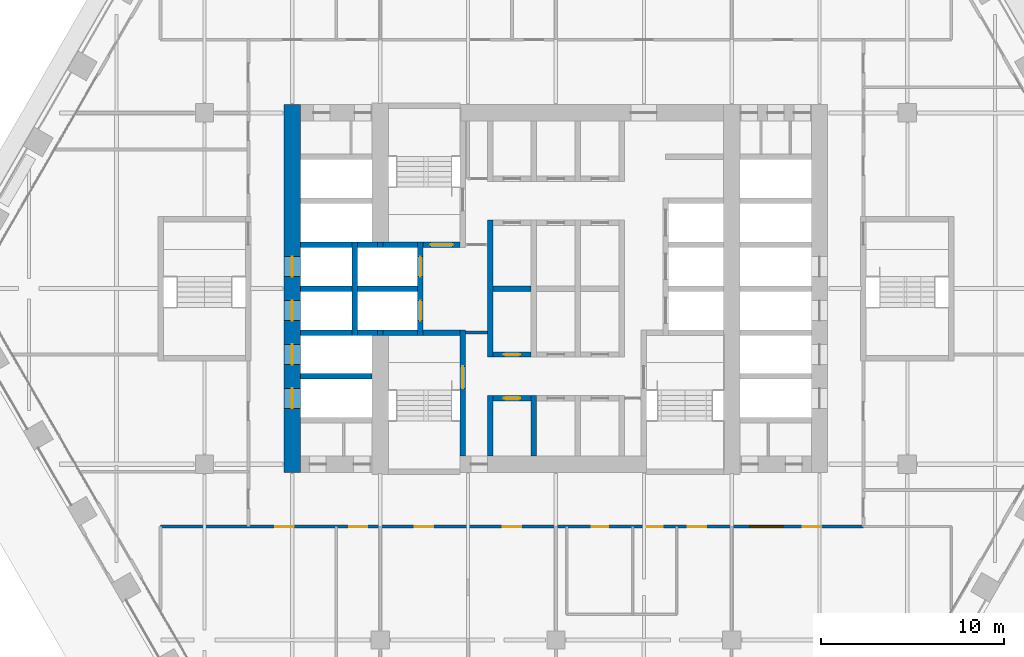
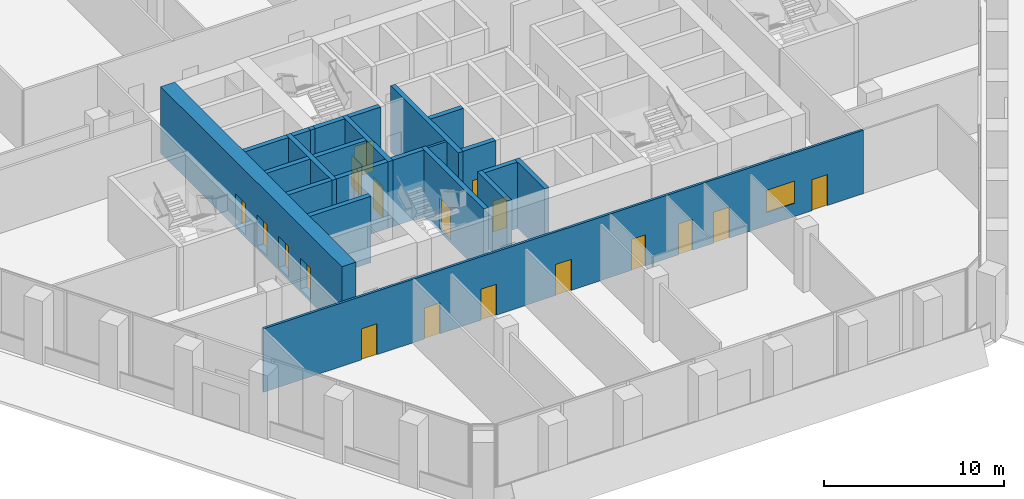
# One storey, part 13 of 23: 25 walls, 18 doors, 1 window, 19 openings.
"""IFC4 building model written with IfcOpenShell, lengths in metres."""

from ifc_helpers import new_model, si_unit, direction, frame, frame_2d, origin, place, context, subcontext, project, spatial, rectangle, extrude, material, layer, layer_set, type_object, element, fill, save


model = new_model("IFC4")

# Units and contexts
model_context = context("Model", 3, precision=1e-05, world=origin(), true_north=direction((0.0, 1.0)))
body_context = subcontext(model_context, "Body", "Model", "MODEL_VIEW")
ifc_project = project(units=[si_unit("LENGTHUNIT", "METRE"), si_unit("AREAUNIT", "SQUARE_METRE"), si_unit("VOLUMEUNIT", "CUBIC_METRE"), si_unit("PLANEANGLEUNIT", "RADIAN"), si_unit("MASSUNIT", "GRAM", prefix="KILO")], contexts=[model_context])

# Site, building, storey
site_placement = place(None, origin())
site = spatial("IfcSite", under=ifc_project, at=site_placement, CompositionType="ELEMENT")
building_placement = place(site_placement, origin())
building = spatial("IfcBuilding", under=site, at=building_placement, Name="Kolab Exchange Tower", CompositionType="ELEMENT")
storey_placement = place(building_placement, frame((0.0, 0.0, 77.89990234375)))
storey = spatial("IfcBuildingStorey", under=building, at=storey_placement, Name="L14", CompositionType="ELEMENT", Elevation=77.89990234375)

# Wall, openings, doors
ifc_material_1 = material(Name="Concrete C70/85", Category="concrete")
ifc_layer_1 = layer(ifc_material_1, 0.89990234375)
ifc_layer_set_1 = layer_set([ifc_layer_1], Name="Concrete C70/85")
wall_type_1 = type_object("IfcWallType", Name="CORE WALL 900 C70/85", PredefinedType="SHEAR", material=ifc_layer_set_1)
wall_1_placement = place(storey_placement, frame((-14.39990234375, -10.050048828125, -0.199951171875), z_axis=(0.0, 0.0, 1.0), x_axis=(0.0, 1.0, 0.0)))
wall_1 = element("IfcWall", 1, at=wall_1_placement, inside=storey, type_object=wall_type_1, Name="wall/L14/core/057", PredefinedType="SHEAR", context=body_context, shape_type="SweptSolid", body=[
    extrude(rectangle(XDim=20.10009765625, YDim=0.89990234375, at=frame_2d((10.050048828125, 0.0))), origin(), (0.0, 0.0, 1.0), 4.5),
])
opening_1_placement = place(wall_1_placement, frame((3.5, 0.0, 0.199951171875)))
opening_1 = element("IfcOpeningElement", 2, at=opening_1_placement, cuts=wall_1, Name="Opening LD1-073", PredefinedType="OPENING", context=body_context, shape_type="SweptSolid", body=[
    extrude(rectangle(XDim=1.10009765625, YDim=2.10009765625, at=frame_2d((0.550048828125, 1.050048828125))), frame((0.0, 0.4599609375, 0.0), z_axis=(0.0, -1.0, 0.0), x_axis=(1.0, 0.0, 0.0)), (0.0, 0.0, 1.0), 0.919921875),
])
opening_2_placement = place(wall_1_placement, frame((5.89990234375, 0.0, 0.199951171875)))
opening_2 = element("IfcOpeningElement", 3, at=opening_2_placement, cuts=wall_1, Name="Opening LD1-074", PredefinedType="OPENING", context=body_context, shape_type="SweptSolid", body=[
    extrude(rectangle(XDim=1.10009765625, YDim=2.10009765625, at=frame_2d((0.550048828125, 1.050048828125))), frame((0.0, 0.4599609375, 0.0), z_axis=(0.0, -1.0, 0.0), x_axis=(1.0, 0.0, 0.0)), (0.0, 0.0, 1.0), 0.919921875),
])
opening_3_placement = place(wall_1_placement, frame((8.300048828125, 0.0, 0.199951171875)))
opening_3 = element("IfcOpeningElement", 4, at=opening_3_placement, cuts=wall_1, Name="Opening LD1-075", PredefinedType="OPENING", context=body_context, shape_type="SweptSolid", body=[
    extrude(rectangle(XDim=1.10009765625, YDim=2.10009765625, at=frame_2d((0.550048828125, 1.050048828125))), frame((0.0, 0.4599609375, 0.0), z_axis=(0.0, -1.0, 0.0), x_axis=(1.0, 0.0, 0.0)), (0.0, 0.0, 1.0), 0.919921875),
])
opening_4_placement = place(wall_1_placement, frame((10.699951171875, 0.0, 0.199951171875)))
opening_4 = element("IfcOpeningElement", 5, at=opening_4_placement, cuts=wall_1, Name="Opening LD1-076", PredefinedType="OPENING", context=body_context, shape_type="SweptSolid", body=[
    extrude(rectangle(XDim=1.10009765625, YDim=2.10009765625, at=frame_2d((0.550048828125, 1.050048828125))), frame((0.0, 0.4599609375, 0.0), z_axis=(0.0, -1.0, 0.0), x_axis=(1.0, 0.0, 0.0)), (0.0, 0.0, 1.0), 0.919921875),
])
ifc_material_2 = material(Name="Stainless steel 316", Category="steel")
door_type_1 = type_object("IfcDoorType", Name="LANDING DOOR 1100 PASSENGER", OperationType="DOUBLE_DOOR_SLIDING", PredefinedType="DOOR", material=ifc_material_2)
door_1_placement = place(opening_1_placement, origin())
door_1 = element("IfcDoor", 6, at=door_1_placement, inside=storey, type_object=door_type_1, Name="Landing door LR5", OperationType="DOUBLE_DOOR_SLIDING", OverallHeight=2.10009765625, OverallWidth=1.10009765625, PredefinedType="DOOR", context=body_context, shape_type="SweptSolid", body=[
    extrude(rectangle(XDim=1.10009765625, YDim=2.10009765625, at=frame_2d((0.550048828125, 1.050048828125))), frame((0.0, 0.02490234375, 0.0), z_axis=(0.0, -1.0, 0.0), x_axis=(1.0, 0.0, 0.0)), (0.0, 0.0, 1.0), 0.050048828125),
])
fill(opening_1, door_1)
door_2_placement = place(opening_2_placement, origin())
door_2 = element("IfcDoor", 7, at=door_2_placement, inside=storey, type_object=door_type_1, Name="Landing door LR6", OperationType="DOUBLE_DOOR_SLIDING", OverallHeight=2.10009765625, OverallWidth=1.10009765625, PredefinedType="DOOR", context=body_context, shape_type="SweptSolid", body=[
    extrude(rectangle(XDim=1.10009765625, YDim=2.10009765625, at=frame_2d((0.550048828125, 1.050048828125))), frame((0.0, 0.02490234375, 0.0), z_axis=(0.0, -1.0, 0.0), x_axis=(1.0, 0.0, 0.0)), (0.0, 0.0, 1.0), 0.050048828125),
])
fill(opening_2, door_2)
door_3_placement = place(opening_3_placement, origin())
door_3 = element("IfcDoor", 8, at=door_3_placement, inside=storey, type_object=door_type_1, Name="Landing door LR7", OperationType="DOUBLE_DOOR_SLIDING", OverallHeight=2.10009765625, OverallWidth=1.10009765625, PredefinedType="DOOR", context=body_context, shape_type="SweptSolid", body=[
    extrude(rectangle(XDim=1.10009765625, YDim=2.10009765625, at=frame_2d((0.550048828125, 1.050048828125))), frame((0.0, 0.02490234375, 0.0), z_axis=(0.0, -1.0, 0.0), x_axis=(1.0, 0.0, 0.0)), (0.0, 0.0, 1.0), 0.050048828125),
])
fill(opening_3, door_3)
door_4_placement = place(opening_4_placement, origin())
door_4 = element("IfcDoor", 9, at=door_4_placement, inside=storey, type_object=door_type_1, Name="Landing door LR8", OperationType="DOUBLE_DOOR_SLIDING", OverallHeight=2.10009765625, OverallWidth=1.10009765625, PredefinedType="DOOR", context=body_context, shape_type="SweptSolid", body=[
    extrude(rectangle(XDim=1.10009765625, YDim=2.10009765625, at=frame_2d((0.550048828125, 1.050048828125))), frame((0.0, 0.02490234375, 0.0), z_axis=(0.0, -1.0, 0.0), x_axis=(1.0, 0.0, 0.0)), (0.0, 0.0, 1.0), 0.050048828125),
])
fill(opening_4, door_4)

# Wall, opening, door
ifc_material_3 = material(Name="Concrete C50/60", Category="concrete")
ifc_layer_2 = layer(ifc_material_3, 0.300048828125)
ifc_layer_set_2 = layer_set([ifc_layer_2], Name="Concrete C50/60")
wall_type_2 = type_object("IfcWallType", Name="LIFT SHAFT WALL 300 C50/60", PredefinedType="STANDARD", material=ifc_layer_set_2)
wall_2_placement = place(storey_placement, frame((-3.449951171875, -6.0, -0.199951171875), z_axis=(0.0, 0.0, 1.0), x_axis=(1.0, 0.0, 0.0)))
wall_2 = element("IfcWall", 10, at=wall_2_placement, inside=storey, type_object=wall_type_2, Name="wall/L14/core/007", PredefinedType="STANDARD", context=body_context, shape_type="SweptSolid", body=[
    extrude(rectangle(XDim=2.099853515625, YDim=0.300048828125, at=frame_2d((1.0498046875, 0.0))), origin(), (0.0, 0.0, 1.0), 4.5),
])
opening_5_placement = place(wall_2_placement, frame((0.60009765625, 0.0, 0.199951171875)))
opening_5 = element("IfcOpeningElement", 11, at=opening_5_placement, cuts=wall_2, Name="Opening D6-202", PredefinedType="OPENING", context=body_context, shape_type="SweptSolid", body=[
    extrude(rectangle(XDim=0.89990234375, YDim=2.10009765625, at=frame_2d((0.449951171875, 1.050048828125))), frame((0.0, 0.16015625, 0.0), z_axis=(0.0, -1.0, 0.0), x_axis=(1.0, 0.0, 0.0)), (0.0, 0.0, 1.0), 0.320068359375),
])
ifc_material_4 = material(Name="Steel S235", Category="steel")
door_type_2 = type_object("IfcDoorType", Name="CORE DOOR 900 EI 120", OperationType="SINGLE_SWING_LEFT", PredefinedType="DOOR", material=ifc_material_4)
door_5_placement = place(opening_5_placement, frame((0.89990234375, 0.0, 0.0), z_axis=(0.0, 0.0, 1.0), x_axis=(-1.0, 0.0, 0.0)))
door_5 = element("IfcDoor", 12, at=door_5_placement, inside=storey, type_object=door_type_2, Name="Service room door", OperationType="SINGLE_SWING_LEFT", OverallHeight=2.10009765625, OverallWidth=0.89990234375, PredefinedType="DOOR", context=body_context, shape_type="SweptSolid", body=[
    extrude(rectangle(XDim=0.89990234375, YDim=2.10009765625, at=frame_2d((0.449951171875, 1.050048828125))), frame((0.0, 0.02490234375, 0.0), z_axis=(0.0, -1.0, 0.0), x_axis=(1.0, 0.0, 0.0)), (0.0, 0.0, 1.0), 0.050048828125),
])
fill(opening_5, door_5)

# Wall
wall_3_placement = place(storey_placement, frame((-13.949951171875, -4.800048828125, -0.199951171875), z_axis=(0.0, 0.0, 1.0), x_axis=(1.0, 0.0, 0.0)))
element("IfcWall", 13, at=wall_3_placement, inside=storey, type_object=wall_type_2, Name="wall/L14/core/010", PredefinedType="STANDARD", context=body_context, shape_type="SweptSolid", body=[
    extrude(rectangle(XDim=3.89990234375, YDim=0.300048828125, at=frame_2d((1.949951171875, 0.0))), origin(), (0.0, 0.0, 1.0), 4.5),
])

# Wall, opening, door
wall_4_placement = place(storey_placement, frame((-3.449951171875, -3.60009765625, -0.199951171875), z_axis=(0.0, 0.0, 1.0), x_axis=(1.0, 0.0, 0.0)))
wall_4 = element("IfcWall", 14, at=wall_4_placement, inside=storey, type_object=wall_type_2, Name="wall/L14/core/014", PredefinedType="STANDARD", context=body_context, shape_type="SweptSolid", body=[
    extrude(rectangle(XDim=2.099853515625, YDim=0.300048828125, at=frame_2d((1.0498046875, 0.0))), origin(), (0.0, 0.0, 1.0), 4.5),
])
opening_6_placement = place(wall_4_placement, frame((0.60009765625, 0.0, 0.199951171875)))
opening_6 = element("IfcOpeningElement", 15, at=opening_6_placement, cuts=wall_4, Name="Opening D6-199", PredefinedType="OPENING", context=body_context, shape_type="SweptSolid", body=[
    extrude(rectangle(XDim=0.89990234375, YDim=2.10009765625, at=frame_2d((0.449951171875, 1.050048828125))), frame((0.0, 0.16015625, 0.0), z_axis=(0.0, -1.0, 0.0), x_axis=(1.0, 0.0, 0.0)), (0.0, 0.0, 1.0), 0.320068359375),
])
door_6_placement = place(opening_6_placement, origin())
door_6 = element("IfcDoor", 16, at=door_6_placement, inside=storey, type_object=door_type_2, Name="Service room door", OperationType="SINGLE_SWING_LEFT", OverallHeight=2.10009765625, OverallWidth=0.89990234375, PredefinedType="DOOR", context=body_context, shape_type="SweptSolid", body=[
    extrude(rectangle(XDim=0.89990234375, YDim=2.10009765625, at=frame_2d((0.449951171875, 1.050048828125))), frame((0.0, 0.02490234375, 0.0), z_axis=(0.0, -1.0, 0.0), x_axis=(1.0, 0.0, 0.0)), (0.0, 0.0, 1.0), 0.050048828125),
])
fill(opening_6, door_6)

# Walls
wall_5_placement = place(storey_placement, frame((-13.949951171875, -2.39990234375, -0.199951171875), z_axis=(0.0, 0.0, 1.0), x_axis=(1.0, 0.0, 0.0)))
element("IfcWall", 17, at=wall_5_placement, inside=storey, type_object=wall_type_2, Name="wall/L14/core/017", PredefinedType="STANDARD", context=body_context, shape_type="SweptSolid", body=[
    extrude(rectangle(XDim=2.800048828125, YDim=0.300048828125, at=frame_2d((1.39990234375, 0.0))), origin(), (0.0, 0.0, 1.0), 4.5),
])
wall_6_placement = place(storey_placement, frame((-10.85009765625, -2.39990234375, -0.199951171875), z_axis=(0.0, 0.0, 1.0), x_axis=(1.0, 0.0, 0.0)))
element("IfcWall", 18, at=wall_6_placement, inside=storey, type_object=wall_type_2, Name="wall/L14/core/018", PredefinedType="STANDARD", context=body_context, shape_type="SweptSolid", body=[
    extrude(rectangle(XDim=1.10009765625, YDim=0.300048828125, at=frame_2d((0.550048828125, 0.0))), origin(), (0.0, 0.0, 1.0), 4.5),
])
wall_7_placement = place(storey_placement, frame((-13.949951171875, 0.0, -0.199951171875), z_axis=(0.0, 0.0, 1.0), x_axis=(1.0, 0.0, 0.0)))
element("IfcWall", 19, at=wall_7_placement, inside=storey, type_object=wall_type_2, Name="wall/L14/core/024", PredefinedType="STANDARD", context=body_context, shape_type="SweptSolid", body=[
    extrude(rectangle(XDim=2.800048828125, YDim=0.300048828125, at=frame_2d((1.39990234375, 0.0))), origin(), (0.0, 0.0, 1.0), 4.5),
])
wall_8_placement = place(storey_placement, frame((-10.85009765625, 0.0, -0.199951171875), z_axis=(0.0, 0.0, 1.0), x_axis=(1.0, 0.0, 0.0)))
element("IfcWall", 20, at=wall_8_placement, inside=storey, type_object=wall_type_2, Name="wall/L14/core/025", PredefinedType="STANDARD", context=body_context, shape_type="SweptSolid", body=[
    extrude(rectangle(XDim=3.300048828125, YDim=0.300048828125, at=frame_2d((1.64990234375, 0.0))), origin(), (0.0, 0.0, 1.0), 4.5),
])
wall_9_placement = place(storey_placement, frame((-3.449951171875, 0.0, -0.199951171875), z_axis=(0.0, 0.0, 1.0), x_axis=(1.0, 0.0, 0.0)))
element("IfcWall", 21, at=wall_9_placement, inside=storey, type_object=wall_type_2, Name="wall/L14/core/026", PredefinedType="STANDARD", context=body_context, shape_type="SweptSolid", body=[
    extrude(rectangle(XDim=2.099853515625, YDim=0.300048828125, at=frame_2d((1.0498046875, 0.0))), origin(), (0.0, 0.0, 1.0), 4.5),
])
wall_10_placement = place(storey_placement, frame((-13.949951171875, 2.39990234375, -0.199951171875), z_axis=(0.0, 0.0, 1.0), x_axis=(1.0, 0.0, 0.0)))
element("IfcWall", 22, at=wall_10_placement, inside=storey, type_object=wall_type_2, Name="wall/L14/core/031", PredefinedType="STANDARD", context=body_context, shape_type="SweptSolid", body=[
    extrude(rectangle(XDim=2.800048828125, YDim=0.300048828125, at=frame_2d((1.39990234375, 0.0))), origin(), (0.0, 0.0, 1.0), 4.5),
])
wall_11_placement = place(storey_placement, frame((-10.85009765625, 2.39990234375, -0.199951171875), z_axis=(0.0, 0.0, 1.0), x_axis=(1.0, 0.0, 0.0)))
element("IfcWall", 23, at=wall_11_placement, inside=storey, type_object=wall_type_2, Name="wall/L14/core/032", PredefinedType="STANDARD", context=body_context, shape_type="SweptSolid", body=[
    extrude(rectangle(XDim=1.10009765625, YDim=0.300048828125, at=frame_2d((0.550048828125, 0.0))), origin(), (0.0, 0.0, 1.0), 4.5),
])
wall_12_placement = place(storey_placement, frame((-11.0, -2.550048828125, -0.199951171875), z_axis=(0.0, 0.0, 1.0), x_axis=(0.0, 1.0, 0.0)))
element("IfcWall", 24, at=wall_12_placement, inside=storey, type_object=wall_type_2, Name="wall/L14/core/058", PredefinedType="STANDARD", context=body_context, shape_type="SweptSolid", body=[
    extrude(rectangle(XDim=5.10009765625, YDim=0.300048828125, at=frame_2d((2.550048828125, 0.0))), origin(), (0.0, 0.0, 1.0), 4.5),
])

# Wall, openings, doors
wall_13_placement = place(storey_placement, frame((-7.39990234375, -2.550048828125, -0.199951171875), z_axis=(0.0, 0.0, 1.0), x_axis=(0.0, 1.0, 0.0)))
wall_13 = element("IfcWall", 25, at=wall_13_placement, inside=storey, type_object=wall_type_2, Name="wall/L14/core/063", PredefinedType="STANDARD", context=body_context, shape_type="SweptSolid", body=[
    extrude(rectangle(XDim=5.10009765625, YDim=0.300048828125, at=frame_2d((2.550048828125, 0.0))), origin(), (0.0, 0.0, 1.0), 4.5),
])
opening_7_placement = place(wall_13_placement, frame((0.800048828125, 0.0, 0.199951171875)))
opening_7 = element("IfcOpeningElement", 26, at=opening_7_placement, cuts=wall_13, Name="Opening LD2-017", PredefinedType="OPENING", context=body_context, shape_type="SweptSolid", body=[
    extrude(rectangle(XDim=1.10009765625, YDim=2.10009765625, at=frame_2d((0.550048828125, 1.050048828125))), frame((0.0, 0.16015625, 0.0), z_axis=(0.0, -1.0, 0.0), x_axis=(1.0, 0.0, 0.0)), (0.0, 0.0, 1.0), 0.320068359375),
])
opening_8_placement = place(wall_13_placement, frame((3.199951171875, 0.0, 0.199951171875)))
opening_8 = element("IfcOpeningElement", 27, at=opening_8_placement, cuts=wall_13, Name="Opening LD2-018", PredefinedType="OPENING", context=body_context, shape_type="SweptSolid", body=[
    extrude(rectangle(XDim=1.10009765625, YDim=2.10009765625, at=frame_2d((0.550048828125, 1.050048828125))), frame((0.0, 0.16015625, 0.0), z_axis=(0.0, -1.0, 0.0), x_axis=(1.0, 0.0, 0.0)), (0.0, 0.0, 1.0), 0.320068359375),
])
door_type_3 = type_object("IfcDoorType", Name="LANDING DOOR 1100 FIREFIGHTING", OperationType="DOUBLE_DOOR_SLIDING", PredefinedType="DOOR", material=ifc_material_2)
door_7_placement = place(opening_7_placement, origin())
door_7 = element("IfcDoor", 28, at=door_7_placement, inside=storey, type_object=door_type_3, Name="Landing door FF1", OperationType="DOUBLE_DOOR_SLIDING", OverallHeight=2.10009765625, OverallWidth=1.10009765625, PredefinedType="DOOR", context=body_context, shape_type="SweptSolid", body=[
    extrude(rectangle(XDim=1.10009765625, YDim=2.10009765625, at=frame_2d((0.550048828125, 1.050048828125))), frame((0.0, 0.02490234375, 0.0), z_axis=(0.0, -1.0, 0.0), x_axis=(1.0, 0.0, 0.0)), (0.0, 0.0, 1.0), 0.050048828125),
])
fill(opening_7, door_7)
door_8_placement = place(opening_8_placement, origin())
door_8 = element("IfcDoor", 29, at=door_8_placement, inside=storey, type_object=door_type_3, Name="Landing door FF2", OperationType="DOUBLE_DOOR_SLIDING", OverallHeight=2.10009765625, OverallWidth=1.10009765625, PredefinedType="DOOR", context=body_context, shape_type="SweptSolid", body=[
    extrude(rectangle(XDim=1.10009765625, YDim=2.10009765625, at=frame_2d((0.550048828125, 1.050048828125))), frame((0.0, 0.02490234375, 0.0), z_axis=(0.0, -1.0, 0.0), x_axis=(1.0, 0.0, 0.0)), (0.0, 0.0, 1.0), 0.050048828125),
])
fill(opening_8, door_8)

# Walls
wall_14_placement = place(storey_placement, frame((-3.60009765625, -9.14990234375, -0.199951171875), z_axis=(0.0, 0.0, 1.0), x_axis=(0.0, 1.0, 0.0)))
element("IfcWall", 30, at=wall_14_placement, inside=storey, type_object=wall_type_2, Name="wall/L14/core/066", PredefinedType="STANDARD", context=body_context, shape_type="SweptSolid", body=[
    extrude(rectangle(XDim=3.2998046875, YDim=0.300048828125, at=frame_2d((1.64990234375, 0.0))), origin(), (0.0, 0.0, 1.0), 4.5),
])
wall_15_placement = place(storey_placement, frame((-3.60009765625, -3.75, -0.199951171875), z_axis=(0.0, 0.0, 1.0), x_axis=(0.0, 1.0, 0.0)))
element("IfcWall", 31, at=wall_15_placement, inside=storey, type_object=wall_type_2, Name="wall/L14/core/067", PredefinedType="STANDARD", context=body_context, shape_type="SweptSolid", body=[
    extrude(rectangle(XDim=7.5, YDim=0.300048828125, at=frame_2d((3.75, 0.0))), origin(), (0.0, 0.0, 1.0), 4.5),
])
wall_16_placement = place(storey_placement, frame((-1.199951171875, -9.14990234375, -0.199951171875), z_axis=(0.0, 0.0, 1.0), x_axis=(0.0, 1.0, 0.0)))
element("IfcWall", 32, at=wall_16_placement, inside=storey, type_object=wall_type_2, Name="wall/L14/core/069", PredefinedType="STANDARD", context=body_context, shape_type="SweptSolid", body=[
    extrude(rectangle(XDim=3.2998046875, YDim=0.300048828125, at=frame_2d((1.64990234375, 0.0))), origin(), (0.0, 0.0, 1.0), 4.5),
])

# Wall, openings, doors, window
ifc_material_5 = material(Name="Gypsum board", Category="gypsum")
ifc_layer_3 = layer(ifc_material_5, 0.14990234375)
ifc_layer_set_3 = layer_set([ifc_layer_3], Name="Gypsum board")
wall_type_3 = type_object("IfcWallType", Name="PARTITION 150 FIRE-RATED", PredefinedType="PARTITIONING", material=ifc_layer_set_3)
wall_17_placement = place(storey_placement, frame((-21.60009765625, -13.0, 0.0), z_axis=(0.0, 0.0, 1.0), x_axis=(1.0, 0.0, 0.0)))
wall_17 = element("IfcWall", 33, at=wall_17_placement, inside=storey, type_object=wall_type_3, Name="Partition 035", PredefinedType="PARTITIONING", context=body_context, shape_type="SweptSolid", body=[
    extrude(rectangle(XDim=38.400146484375, YDim=0.14990234375, at=frame_2d((19.2001953125, 0.0))), origin(), (0.0, 0.0, 1.0), 4.300048828125),
])
opening_9_placement = place(wall_17_placement, frame((6.264892578125, 0.0, 0.0)))
opening_9 = element("IfcOpeningElement", 34, at=opening_9_placement, cuts=wall_17, Name="Opening D1-206", PredefinedType="OPENING", context=body_context, shape_type="SweptSolid", body=[
    extrude(rectangle(XDim=1.0, YDim=2.10009765625, at=frame_2d((0.5, 1.050048828125))), frame((0.0, 0.0849609375, 0.0), z_axis=(0.0, -1.0, 0.0), x_axis=(1.0, 0.0, 0.0)), (0.0, 0.0, 1.0), 0.169921875),
])
opening_10_placement = place(wall_17_placement, frame((10.300048828125, 0.0, 0.0)))
opening_10 = element("IfcOpeningElement", 35, at=opening_10_placement, cuts=wall_17, Name="Opening D1-207", PredefinedType="OPENING", context=body_context, shape_type="SweptSolid", body=[
    extrude(rectangle(XDim=1.0, YDim=2.10009765625, at=frame_2d((0.5, 1.050048828125))), frame((0.0, 0.0849609375, 0.0), z_axis=(0.0, -1.0, 0.0), x_axis=(1.0, 0.0, 0.0)), (0.0, 0.0, 1.0), 0.169921875),
])
opening_11_placement = place(wall_17_placement, frame((13.89990234375, 0.0, 0.0)))
opening_11 = element("IfcOpeningElement", 36, at=opening_11_placement, cuts=wall_17, Name="Opening D1-208", PredefinedType="OPENING", context=body_context, shape_type="SweptSolid", body=[
    extrude(rectangle(XDim=1.0, YDim=2.10009765625, at=frame_2d((0.5, 1.050048828125))), frame((0.0, 0.0849609375, 0.0), z_axis=(0.0, -1.0, 0.0), x_axis=(1.0, 0.0, 0.0)), (0.0, 0.0, 1.0), 0.169921875),
])
opening_12_placement = place(wall_17_placement, frame((18.699951171875, 0.0, 0.0)))
opening_12 = element("IfcOpeningElement", 37, at=opening_12_placement, cuts=wall_17, Name="Opening D1-209", PredefinedType="OPENING", context=body_context, shape_type="SweptSolid", body=[
    extrude(rectangle(XDim=1.0, YDim=2.10009765625, at=frame_2d((0.5, 1.050048828125))), frame((0.0, 0.0849609375, 0.0), z_axis=(0.0, -1.0, 0.0), x_axis=(1.0, 0.0, 0.0)), (0.0, 0.0, 1.0), 0.169921875),
])
opening_13_placement = place(wall_17_placement, frame((28.81494140625, 0.0, 0.0)))
opening_13 = element("IfcOpeningElement", 38, at=opening_13_placement, cuts=wall_17, Name="Opening D1-210", PredefinedType="OPENING", context=body_context, shape_type="SweptSolid", body=[
    extrude(rectangle(XDim=1.0, YDim=2.10009765625, at=frame_2d((0.5, 1.050048828125))), frame((0.0, 0.0849609375, 0.0), z_axis=(0.0, -1.0, 0.0), x_axis=(1.0, 0.0, 0.0)), (0.0, 0.0, 1.0), 0.169921875),
])
opening_14_placement = place(wall_17_placement, frame((35.094970703125, 0.0, 0.0)))
opening_14 = element("IfcOpeningElement", 39, at=opening_14_placement, cuts=wall_17, Name="Opening D1-211", PredefinedType="OPENING", context=body_context, shape_type="SweptSolid", body=[
    extrude(rectangle(XDim=1.0, YDim=2.10009765625, at=frame_2d((0.5, 1.050048828125))), frame((0.0, 0.0849609375, 0.0), z_axis=(0.0, -1.0, 0.0), x_axis=(1.0, 0.0, 0.0)), (0.0, 0.0, 1.0), 0.169921875),
])
opening_15_placement = place(wall_17_placement, frame((23.550048828125, 0.0, 0.0)))
opening_15 = element("IfcOpeningElement", 40, at=opening_15_placement, cuts=wall_17, Name="Opening D3-019", PredefinedType="OPENING", context=body_context, shape_type="SweptSolid", body=[
    extrude(rectangle(XDim=0.89990234375, YDim=2.10009765625, at=frame_2d((0.449951171875, 1.050048828125))), frame((0.0, 0.0849609375, 0.0), z_axis=(0.0, -1.0, 0.0), x_axis=(1.0, 0.0, 0.0)), (0.0, 0.0, 1.0), 0.169921875),
])
opening_16_placement = place(wall_17_placement, frame((26.550048828125, 0.0, 0.0)))
opening_16 = element("IfcOpeningElement", 41, at=opening_16_placement, cuts=wall_17, Name="Opening D3-020", PredefinedType="OPENING", context=body_context, shape_type="SweptSolid", body=[
    extrude(rectangle(XDim=0.89990234375, YDim=2.10009765625, at=frame_2d((0.449951171875, 1.050048828125))), frame((0.0, 0.0849609375, 0.0), z_axis=(0.0, -1.0, 0.0), x_axis=(1.0, 0.0, 0.0)), (0.0, 0.0, 1.0), 0.169921875),
])
opening_17_placement = place(wall_17_placement, frame((32.199951171875, 0.0, 0.89990234375)))
opening_17 = element("IfcOpeningElement", 42, at=opening_17_placement, cuts=wall_17, Name="Opening W1-008", PredefinedType="OPENING", context=body_context, shape_type="SweptSolid", body=[
    extrude(rectangle(XDim=1.800048828125, YDim=1.5, at=frame_2d((0.89990234375, 0.75))), frame((0.0, 0.0849609375, 0.0), z_axis=(0.0, -1.0, 0.0), x_axis=(1.0, 0.0, 0.0)), (0.0, 0.0, 1.0), 0.169921875),
])
door_type_4 = type_object("IfcDoorType", Name="FLUSH DOOR 1000 FD60", OperationType="SINGLE_SWING_LEFT", PredefinedType="DOOR", material=ifc_material_4)
door_9_placement = place(opening_9_placement, frame((1.0, 0.0, 0.0), z_axis=(0.0, 0.0, 1.0), x_axis=(-1.0, 0.0, 0.0)))
door_9 = element("IfcDoor", 43, at=door_9_placement, inside=storey, type_object=door_type_4, Name="Door L14-056", OperationType="SINGLE_SWING_RIGHT", OverallHeight=2.10009765625, OverallWidth=1.0, PredefinedType="DOOR", context=body_context, shape_type="SweptSolid", body=[
    extrude(rectangle(XDim=1.0, YDim=2.10009765625, at=frame_2d((0.5, 1.050048828125))), frame((0.0, 0.02490234375, 0.0), z_axis=(0.0, -1.0, 0.0), x_axis=(1.0, 0.0, 0.0)), (0.0, 0.0, 1.0), 0.050048828125),
])
fill(opening_9, door_9)
door_10_placement = place(opening_10_placement, frame((1.0, 0.0, 0.0), z_axis=(0.0, 0.0, 1.0), x_axis=(-1.0, 0.0, 0.0)))
door_10 = element("IfcDoor", 44, at=door_10_placement, inside=storey, type_object=door_type_4, Name="Door L14-057", OperationType="SINGLE_SWING_LEFT", OverallHeight=2.10009765625, OverallWidth=1.0, PredefinedType="DOOR", context=body_context, shape_type="SweptSolid", body=[
    extrude(rectangle(XDim=1.0, YDim=2.10009765625, at=frame_2d((0.5, 1.050048828125))), frame((0.0, 0.02490234375, 0.0), z_axis=(0.0, -1.0, 0.0), x_axis=(1.0, 0.0, 0.0)), (0.0, 0.0, 1.0), 0.050048828125),
])
fill(opening_10, door_10)
door_11_placement = place(opening_11_placement, frame((1.0, 0.0, 0.0), z_axis=(0.0, 0.0, 1.0), x_axis=(-1.0, 0.0, 0.0)))
door_11 = element("IfcDoor", 45, at=door_11_placement, inside=storey, type_object=door_type_4, Name="Door L14-058", OperationType="SINGLE_SWING_LEFT", OverallHeight=2.10009765625, OverallWidth=1.0, PredefinedType="DOOR", context=body_context, shape_type="SweptSolid", body=[
    extrude(rectangle(XDim=1.0, YDim=2.10009765625, at=frame_2d((0.5, 1.050048828125))), frame((0.0, 0.02490234375, 0.0), z_axis=(0.0, -1.0, 0.0), x_axis=(1.0, 0.0, 0.0)), (0.0, 0.0, 1.0), 0.050048828125),
])
fill(opening_11, door_11)
door_12_placement = place(opening_12_placement, frame((1.0, 0.0, 0.0), z_axis=(0.0, 0.0, 1.0), x_axis=(-1.0, 0.0, 0.0)))
door_12 = element("IfcDoor", 46, at=door_12_placement, inside=storey, type_object=door_type_4, Name="Door L14-059", OperationType="SINGLE_SWING_LEFT", OverallHeight=2.10009765625, OverallWidth=1.0, PredefinedType="DOOR", context=body_context, shape_type="SweptSolid", body=[
    extrude(rectangle(XDim=1.0, YDim=2.10009765625, at=frame_2d((0.5, 1.050048828125))), frame((0.0, 0.02490234375, 0.0), z_axis=(0.0, -1.0, 0.0), x_axis=(1.0, 0.0, 0.0)), (0.0, 0.0, 1.0), 0.050048828125),
])
fill(opening_12, door_12)
door_13_placement = place(opening_13_placement, frame((1.0, 0.0, 0.0), z_axis=(0.0, 0.0, 1.0), x_axis=(-1.0, 0.0, 0.0)))
door_13 = element("IfcDoor", 47, at=door_13_placement, inside=storey, type_object=door_type_4, Name="Door L14-060", OperationType="SINGLE_SWING_LEFT", OverallHeight=2.10009765625, OverallWidth=1.0, PredefinedType="DOOR", context=body_context, shape_type="SweptSolid", body=[
    extrude(rectangle(XDim=1.0, YDim=2.10009765625, at=frame_2d((0.5, 1.050048828125))), frame((0.0, 0.02490234375, 0.0), z_axis=(0.0, -1.0, 0.0), x_axis=(1.0, 0.0, 0.0)), (0.0, 0.0, 1.0), 0.050048828125),
])
fill(opening_13, door_13)
door_14_placement = place(opening_14_placement, frame((1.0, 0.0, 0.0), z_axis=(0.0, 0.0, 1.0), x_axis=(-1.0, 0.0, 0.0)))
door_14 = element("IfcDoor", 48, at=door_14_placement, inside=storey, type_object=door_type_4, Name="Door L14-061", OperationType="SINGLE_SWING_LEFT", OverallHeight=2.10009765625, OverallWidth=1.0, PredefinedType="DOOR", context=body_context, shape_type="SweptSolid", body=[
    extrude(rectangle(XDim=1.0, YDim=2.10009765625, at=frame_2d((0.5, 1.050048828125))), frame((0.0, 0.02490234375, 0.0), z_axis=(0.0, -1.0, 0.0), x_axis=(1.0, 0.0, 0.0)), (0.0, 0.0, 1.0), 0.050048828125),
])
fill(opening_14, door_14)
door_type_5 = type_object("IfcDoorType", Name="FLUSH DOOR 900 FD60", OperationType="SINGLE_SWING_LEFT", PredefinedType="DOOR", material=ifc_material_4)
door_15_placement = place(opening_15_placement, frame((0.89990234375, 0.0, 0.0), z_axis=(0.0, 0.0, 1.0), x_axis=(-1.0, 0.0, 0.0)))
door_15 = element("IfcDoor", 49, at=door_15_placement, inside=storey, type_object=door_type_5, Name="Door L14-071", OperationType="SINGLE_SWING_LEFT", OverallHeight=2.10009765625, OverallWidth=0.89990234375, PredefinedType="DOOR", context=body_context, shape_type="SweptSolid", body=[
    extrude(rectangle(XDim=0.89990234375, YDim=2.10009765625, at=frame_2d((0.449951171875, 1.050048828125))), frame((0.0, 0.02490234375, 0.0), z_axis=(0.0, -1.0, 0.0), x_axis=(1.0, 0.0, 0.0)), (0.0, 0.0, 1.0), 0.050048828125),
])
fill(opening_15, door_15)
door_16_placement = place(opening_16_placement, frame((0.89990234375, 0.0, 0.0), z_axis=(0.0, 0.0, 1.0), x_axis=(-1.0, 0.0, 0.0)))
door_16 = element("IfcDoor", 50, at=door_16_placement, inside=storey, type_object=door_type_5, Name="Door L14-072", OperationType="SINGLE_SWING_LEFT", OverallHeight=2.10009765625, OverallWidth=0.89990234375, PredefinedType="DOOR", context=body_context, shape_type="SweptSolid", body=[
    extrude(rectangle(XDim=0.89990234375, YDim=2.10009765625, at=frame_2d((0.449951171875, 1.050048828125))), frame((0.0, 0.02490234375, 0.0), z_axis=(0.0, -1.0, 0.0), x_axis=(1.0, 0.0, 0.0)), (0.0, 0.0, 1.0), 0.050048828125),
])
fill(opening_16, door_16)
ifc_material_6 = material(Name="Fire-rated glazing", Category="glass")
window_type = type_object("IfcWindowType", Name="OBSERVATION WINDOW 1800 X 1500 EI 60", PartitioningType="SINGLE_PANEL", PredefinedType="WINDOW", material=ifc_material_6)
window_placement = place(opening_17_placement, origin())
window = element("IfcWindow", 51, at=window_placement, inside=storey, type_object=window_type, Name="Viewing window L14-2", OverallHeight=1.5, OverallWidth=1.800048828125, PartitioningType="SINGLE_PANEL", PredefinedType="WINDOW", context=body_context, shape_type="SweptSolid", body=[
    extrude(rectangle(XDim=1.800048828125, YDim=1.5, at=frame_2d((0.89990234375, 0.75))), frame((0.0, 0.030029296875, 0.0), z_axis=(0.0, -1.0, 0.0), x_axis=(1.0, 0.0, 0.0)), (0.0, 0.0, 1.0), 0.06005859375),
])
fill(opening_17, window)

# Walls
wall_18_placement = place(storey_placement, frame((-4.949951171875, -2.39990234375, 0.0), z_axis=(0.0, 0.0, 1.0), x_axis=(1.0, 0.0, 0.0)))
element("IfcWall", 52, at=wall_18_placement, inside=storey, type_object=wall_type_3, Name="Fire partition", PredefinedType="PARTITIONING", context=body_context, shape_type="SweptSolid", body=[
    extrude(rectangle(XDim=1.199951171875, YDim=0.14990234375, at=frame_2d((0.60009765625, 0.0))), origin(), (0.0, 0.0, 1.0), 4.300048828125),
])
ifc_layer_4 = layer(ifc_material_3, 0.300048828125)
ifc_layer_set_4 = layer_set([ifc_layer_4], Name="Concrete C50/60")
wall_type_4 = type_object("IfcWallType", Name="STAIR ENCLOSURE WALL 300 C50/60", PredefinedType="STANDARD", material=ifc_layer_set_4)
wall_19_placement = place(storey_placement, frame((-9.449951171875, -2.39990234375, -0.199951171875), z_axis=(0.0, 0.0, 1.0), x_axis=(1.0, 0.0, 0.0)))
element("IfcWall", 53, at=wall_19_placement, inside=storey, type_object=wall_type_4, Name="wall/L14/core/019", PredefinedType="STANDARD", context=body_context, shape_type="SweptSolid", body=[
    extrude(rectangle(XDim=1.89990234375, YDim=0.300048828125, at=frame_2d((0.949951171875, 0.0))), origin(), (0.0, 0.0, 1.0), 4.5),
])
wall_20_placement = place(storey_placement, frame((-7.25, -2.39990234375, -0.199951171875), z_axis=(0.0, 0.0, 1.0), x_axis=(1.0, 0.0, 0.0)))
element("IfcWall", 54, at=wall_20_placement, inside=storey, type_object=wall_type_4, Name="wall/L14/core/020", PredefinedType="STANDARD", context=body_context, shape_type="SweptSolid", body=[
    extrude(rectangle(XDim=2.0, YDim=0.300048828125, at=frame_2d((1.0, 0.0))), origin(), (0.0, 0.0, 1.0), 4.5),
])
wall_21_placement = place(storey_placement, frame((-9.449951171875, 2.39990234375, -0.199951171875), z_axis=(0.0, 0.0, 1.0), x_axis=(1.0, 0.0, 0.0)))
element("IfcWall", 55, at=wall_21_placement, inside=storey, type_object=wall_type_4, Name="wall/L14/core/033", PredefinedType="STANDARD", context=body_context, shape_type="SweptSolid", body=[
    extrude(rectangle(XDim=1.89990234375, YDim=0.300048828125, at=frame_2d((0.949951171875, 0.0))), origin(), (0.0, 0.0, 1.0), 4.5),
])

# Wall, opening, door
wall_22_placement = place(storey_placement, frame((-7.25, 2.39990234375, -0.199951171875), z_axis=(0.0, 0.0, 1.0), x_axis=(1.0, 0.0, 0.0)))
wall_22 = element("IfcWall", 56, at=wall_22_placement, inside=storey, type_object=wall_type_4, Name="wall/L14/core/034", PredefinedType="STANDARD", context=body_context, shape_type="SweptSolid", body=[
    extrude(rectangle(XDim=2.0, YDim=0.300048828125, at=frame_2d((1.0, 0.0))), origin(), (0.0, 0.0, 1.0), 4.5),
])
opening_18_placement = place(wall_22_placement, frame((0.39990234375, 0.0, 0.199951171875)))
opening_18 = element("IfcOpeningElement", 57, at=opening_18_placement, cuts=wall_22, Name="Opening D4-043", PredefinedType="OPENING", context=body_context, shape_type="SweptSolid", body=[
    extrude(rectangle(XDim=1.199951171875, YDim=2.10009765625, at=frame_2d((0.60009765625, 1.050048828125))), frame((0.0, 0.16015625, 0.0), z_axis=(0.0, -1.0, 0.0), x_axis=(1.0, 0.0, 0.0)), (0.0, 0.0, 1.0), 0.320068359375),
])
door_type_6 = type_object("IfcDoorType", Name="STAIR DOOR 1200 EI 120", OperationType="SINGLE_SWING_LEFT", PredefinedType="DOOR", material=ifc_material_4)
door_17_placement = place(opening_18_placement, origin())
door_17 = element("IfcDoor", 58, at=door_17_placement, inside=storey, type_object=door_type_6, Name="Stair 1 door", OperationType="SINGLE_SWING_RIGHT", OverallHeight=2.10009765625, OverallWidth=1.199951171875, PredefinedType="DOOR", context=body_context, shape_type="SweptSolid", body=[
    extrude(rectangle(XDim=1.199951171875, YDim=2.10009765625, at=frame_2d((0.60009765625, 1.050048828125))), frame((0.0, 0.02490234375, 0.0), z_axis=(0.0, -1.0, 0.0), x_axis=(1.0, 0.0, 0.0)), (0.0, 0.0, 1.0), 0.050048828125),
])
fill(opening_18, door_17)

# Walls
for number, where, z_axis, x_axis, name in (
    (59, (-9.60009765625, -2.550048828125, -0.199951171875), (0.0, 0.0, 1.0), (0.0, 1.0, 0.0), "wall/L14/core/060"),
    (60, (-9.60009765625, 2.25, -0.199951171875), (0.0, 0.0, 1.0), (0.0, 1.0, 0.0), "wall/L14/core/061"),
):
    element("IfcWall", number, at=place(storey_placement, frame(where, z_axis=z_axis, x_axis=x_axis)), inside=storey, type_object=wall_type_4, Name=name, PredefinedType="STANDARD", context=body_context, shape_type="SweptSolid", body=[
        extrude(rectangle(XDim=0.300048828125, YDim=0.300048828125, at=frame_2d((0.14990234375, 0.0))), origin(), (0.0, 0.0, 1.0), 4.5),
    ])

# Wall, opening, door
wall_23_placement = place(storey_placement, frame((-5.10009765625, -9.14990234375, -0.199951171875), z_axis=(0.0, 0.0, 1.0), x_axis=(0.0, 1.0, 0.0)))
wall_23 = element("IfcWall", 61, at=wall_23_placement, inside=storey, type_object=wall_type_4, Name="wall/L14/core/064", PredefinedType="STANDARD", context=body_context, shape_type="SweptSolid", body=[
    extrude(rectangle(XDim=6.89990234375, YDim=0.300048828125, at=frame_2d((3.449951171875, 0.0))), origin(), (0.0, 0.0, 1.0), 4.5),
])
opening_19_placement = place(wall_23_placement, frame((3.699951171875, 0.0, 0.199951171875)))
opening_19 = element("IfcOpeningElement", 62, at=opening_19_placement, cuts=wall_23, Name="Opening D4-046", PredefinedType="OPENING", context=body_context, shape_type="SweptSolid", body=[
    extrude(rectangle(XDim=1.199951171875, YDim=2.10009765625, at=frame_2d((0.60009765625, 1.050048828125))), frame((0.0, 0.16015625, 0.0), z_axis=(0.0, -1.0, 0.0), x_axis=(1.0, 0.0, 0.0)), (0.0, 0.0, 1.0), 0.320068359375),
])
door_18_placement = place(opening_19_placement, origin())
door_18 = element("IfcDoor", 63, at=door_18_placement, inside=storey, type_object=door_type_6, Name="Stair 3 door", OperationType="SINGLE_SWING_RIGHT", OverallHeight=2.10009765625, OverallWidth=1.199951171875, PredefinedType="DOOR", context=body_context, shape_type="SweptSolid", body=[
    extrude(rectangle(XDim=1.199951171875, YDim=2.10009765625, at=frame_2d((0.60009765625, 1.050048828125))), frame((0.0, 0.02490234375, 0.0), z_axis=(0.0, -1.0, 0.0), x_axis=(1.0, 0.0, 0.0)), (0.0, 0.0, 1.0), 0.050048828125),
])
fill(opening_19, door_18)

save(model, "model.ifc")
